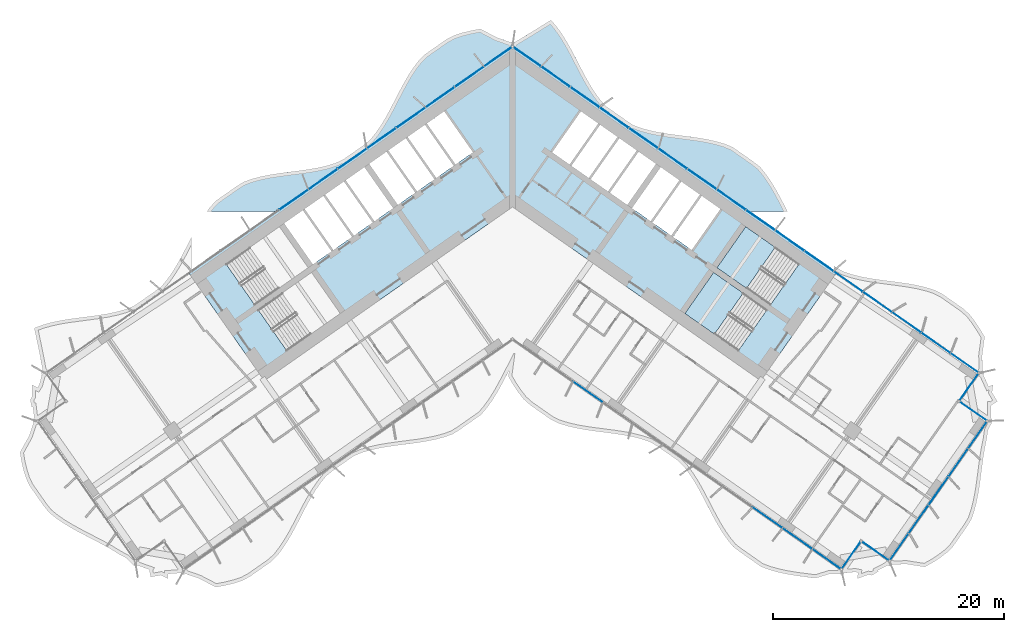
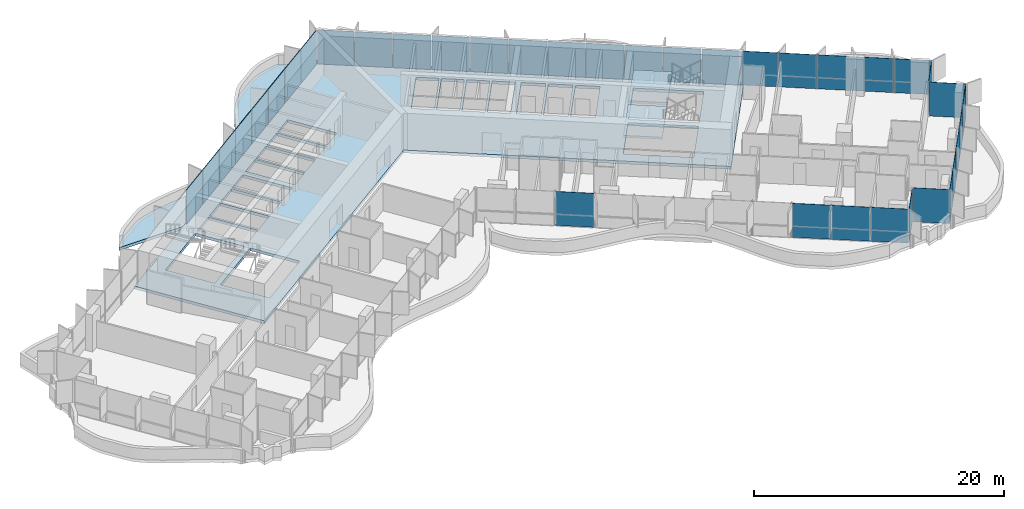
# One storey, part 11 of 23: 37 plates, 4 slabs, 4 elements without a shape of their own.
"""IFC4 building model written with IfcOpenShell, lengths in metres."""

from ifc_helpers import new_model, si_unit, direction, frame, origin, origin_2d, place, context, subcontext, project, spatial, polyline, rectangle, outline, extrude, material, layer, layer_set, type_object, element, aggregate, save


model = new_model("IFC4")

# Units and contexts
model_context = context("Model", 3, precision=1e-05, world=origin(), true_north=direction((0.0, 1.0)))
body_context = subcontext(model_context, "Body", "Model", "MODEL_VIEW")
ifc_project = project(units=[si_unit("LENGTHUNIT", "METRE"), si_unit("AREAUNIT", "SQUARE_METRE"), si_unit("VOLUMEUNIT", "CUBIC_METRE"), si_unit("PLANEANGLEUNIT", "RADIAN"), si_unit("MASSUNIT", "GRAM", prefix="KILO")], contexts=[model_context])

# Site, building, storey
site_placement = place(None, origin())
site = spatial("IfcSite", under=ifc_project, at=site_placement, CompositionType="ELEMENT")
building_placement = place(site_placement, origin())
building = spatial("IfcBuilding", under=site, at=building_placement, Name="Tel Ilan Convention Tower", CompositionType="ELEMENT")
storey_placement = place(building_placement, frame((0.0, 0.0, 115.699951171875)))
storey = spatial("IfcBuildingStorey", under=building, at=storey_placement, Name="L25", CompositionType="ELEMENT", Elevation=115.699951171875)

# Curtain wall, plates
ifc_material_1 = material(Name="Aluminium, bronze anodised", Category="aluminium")
curtain_wall_type_1 = type_object("IfcCurtainWallType", Name="CW1 UNITISED CURTAIN WALL, HOTEL TINTED GLASS", PredefinedType="NOTDEFINED", material=ifc_material_1)
curtain_wall_1_placement = place(storey_placement, origin())
curtain_wall_1 = element("IfcCurtainWall", 1, at=curtain_wall_1_placement, inside=storey, type_object=curtain_wall_type_1, Name="Curtain wall CW1-20.02", PredefinedType="NOTDEFINED")
ifc_material_2 = material(Name="Glass, bronze tinted, two-ply unitised", Category="glass")
ifc_layer_1 = layer(ifc_material_2, 0.028076171875)
ifc_layer_set_1 = layer_set([ifc_layer_1], Name="CW HOTEL GLASS PANEL 28")
plate_type_1 = type_object("IfcPlateType", Name="CW HOTEL GLASS PANEL 28", PredefinedType="CURTAIN_PANEL", material=ifc_layer_set_1)
plate_1_placement = place(storey_placement, frame((6.544921875, -17.27880859375, 0.0), z_axis=(0.0, 0.0, 1.0), x_axis=(0.819152044289, -0.573576436351, 0.0)))
plate_1 = element("IfcPlate", 2, at=plate_1_placement, type_object=plate_type_1, Name="Glass panel", PredefinedType="CURTAIN_PANEL", context=body_context, shape_type="SweptSolid", body=[
    extrude(rectangle(XDim=3.10791015625, YDim=0.028076171875, at=origin_2d()), origin(), (0.0, 0.0, 1.0), 3.320068359375),
])
plate_2_placement = place(storey_placement, frame((22.115478515625, -28.181396484375, 0.0), z_axis=(0.0, 0.0, 1.0), x_axis=(0.819152044289, -0.573576436351, 0.0)))
plate_2 = element("IfcPlate", 3, at=plate_2_placement, type_object=plate_type_1, Name="Glass panel", PredefinedType="CURTAIN_PANEL", context=body_context, shape_type="SweptSolid", body=[
    extrude(rectangle(XDim=3.10791015625, YDim=0.028076171875, at=origin_2d()), origin(), (0.0, 0.0, 1.0), 3.320068359375),
])
plate_3_placement = place(storey_placement, frame((24.71044921875, -29.99853515625, 0.0), z_axis=(0.0, 0.0, 1.0), x_axis=(0.819152044289, -0.573576436351, 0.0)))
plate_3 = element("IfcPlate", 4, at=plate_3_placement, type_object=plate_type_1, Name="Glass panel", PredefinedType="CURTAIN_PANEL", context=body_context, shape_type="SweptSolid", body=[
    extrude(rectangle(XDim=3.10791015625, YDim=0.028076171875, at=origin_2d()), origin(), (0.0, 0.0, 1.0), 3.320068359375),
])
plate_4_placement = place(storey_placement, frame((27.26708984375, -31.78857421875, 0.0), z_axis=(0.0, 0.0, 1.0), x_axis=(0.819152044289, -0.573576436351, 0.0)))
plate_4 = element("IfcPlate", 5, at=plate_4_placement, type_object=plate_type_1, Name="Glass panel", PredefinedType="CURTAIN_PANEL", context=body_context, shape_type="SweptSolid", body=[
    extrude(rectangle(XDim=3.013916015625, YDim=0.028076171875, at=origin_2d()), origin(), (0.0, 0.0, 1.0), 3.320068359375),
])
plate_5_placement = place(storey_placement, frame((29.359375, -31.469482421875, 0.0), z_axis=(0.0, 0.0, 1.0), x_axis=(0.573576436351, 0.819152044289, 0.0)))
plate_5 = element("IfcPlate", 6, at=plate_5_placement, type_object=plate_type_1, Name="Glass panel", PredefinedType="CURTAIN_PANEL", context=body_context, shape_type="SweptSolid", body=[
    extrude(rectangle(XDim=2.875, YDim=0.028076171875, at=origin_2d()), origin(), (0.0, 0.0, 1.0), 3.320068359375),
])
plate_6_placement = place(storey_placement, frame((31.502197265625, -31.091796875, 0.0), z_axis=(0.0, 0.0, 1.0), x_axis=(0.819152044289, -0.573576436351, 0.0)))
plate_6 = element("IfcPlate", 7, at=plate_6_placement, type_object=plate_type_1, Name="Glass panel", PredefinedType="CURTAIN_PANEL", context=body_context, shape_type="SweptSolid", body=[
    extrude(rectangle(XDim=2.875, YDim=0.028076171875, at=origin_2d()), origin(), (0.0, 0.0, 1.0), 3.320068359375),
])
plate_7_placement = place(storey_placement, frame((33.529296875, -30.74462890625, 0.0), z_axis=(0.0, 0.0, 1.0), x_axis=(0.573576436351, 0.819152044289, 0.0)))
plate_7 = element("IfcPlate", 8, at=plate_7_placement, type_object=plate_type_1, Name="Glass panel", PredefinedType="CURTAIN_PANEL", context=body_context, shape_type="SweptSolid", body=[
    extrude(rectangle(XDim=2.845947265625, YDim=0.028076171875, at=origin_2d()), origin(), (0.0, 0.0, 1.0), 3.320068359375),
])
plate_8_placement = place(storey_placement, frame((35.22314453125, -28.32568359375, 0.0), z_axis=(0.0, 0.0, 1.0), x_axis=(0.573576436351, 0.819152044289, 0.0)))
plate_8 = element("IfcPlate", 9, at=plate_8_placement, type_object=plate_type_1, Name="Glass panel", PredefinedType="CURTAIN_PANEL", context=body_context, shape_type="SweptSolid", body=[
    extrude(rectangle(XDim=2.93994140625, YDim=0.028076171875, at=origin_2d()), origin(), (0.0, 0.0, 1.0), 3.320068359375),
])
plate_9_placement = place(storey_placement, frame((36.94384765625, -25.868408203125, 0.0), z_axis=(0.0, 0.0, 1.0), x_axis=(0.573576436351, 0.819152044289, 0.0)))
plate_9 = element("IfcPlate", 10, at=plate_9_placement, type_object=plate_type_1, Name="Glass panel", PredefinedType="CURTAIN_PANEL", context=body_context, shape_type="SweptSolid", body=[
    extrude(rectangle(XDim=2.93994140625, YDim=0.028076171875, at=origin_2d()), origin(), (0.0, 0.0, 1.0), 3.320068359375),
])
plate_10_placement = place(storey_placement, frame((38.66455078125, -23.410888671875, 0.0), z_axis=(0.0, 0.0, 1.0), x_axis=(0.573576436351, 0.819152044289, 0.0)))
plate_10 = element("IfcPlate", 11, at=plate_10_placement, type_object=plate_type_1, Name="Glass panel", PredefinedType="CURTAIN_PANEL", context=body_context, shape_type="SweptSolid", body=[
    extrude(rectangle(XDim=2.93994140625, YDim=0.028076171875, at=origin_2d()), origin(), (0.0, 0.0, 1.0), 3.320068359375),
])
plate_11_placement = place(storey_placement, frame((40.358154296875, -20.991943359375, 0.0), z_axis=(0.0, 0.0, 1.0), x_axis=(0.573576436351, 0.819152044289, 0.0)))
plate_11 = element("IfcPlate", 12, at=plate_11_placement, type_object=plate_type_1, Name="Glass panel", PredefinedType="CURTAIN_PANEL", context=body_context, shape_type="SweptSolid", body=[
    extrude(rectangle(XDim=2.845947265625, YDim=0.028076171875, at=origin_2d()), origin(), (0.0, 0.0, 1.0), 3.320068359375),
])
plate_12_placement = place(storey_placement, frame((39.990966796875, -18.96826171875, 0.0), z_axis=(0.0, 0.0, 1.0), x_axis=(-0.819152044289, 0.573576436351, 0.0)))
plate_12 = element("IfcPlate", 13, at=plate_12_placement, type_object=plate_type_1, Name="Glass panel", PredefinedType="CURTAIN_PANEL", context=body_context, shape_type="SweptSolid", body=[
    extrude(rectangle(XDim=2.875, YDim=0.028076171875, at=origin_2d()), origin(), (0.0, 0.0, 1.0), 3.320068359375),
])
plate_13_placement = place(storey_placement, frame((39.61328125, -16.82568359375, 0.0), z_axis=(0.0, 0.0, 1.0), x_axis=(0.573576436351, 0.819152044289, 0.0)))
plate_13 = element("IfcPlate", 14, at=plate_13_placement, type_object=plate_type_1, Name="Glass panel", PredefinedType="CURTAIN_PANEL", context=body_context, shape_type="SweptSolid", body=[
    extrude(rectangle(XDim=2.875, YDim=0.028076171875, at=origin_2d()), origin(), (0.0, 0.0, 1.0), 3.320068359375),
])
plate_14_placement = place(storey_placement, frame((39.2265625, -14.7705078125, 0.0), z_axis=(0.0, 0.0, 1.0), x_axis=(-0.819152044289, 0.573576436351, 0.0)))
plate_14 = element("IfcPlate", 15, at=plate_14_placement, type_object=plate_type_1, Name="Glass panel", PredefinedType="CURTAIN_PANEL", context=body_context, shape_type="SweptSolid", body=[
    extrude(rectangle(XDim=2.943115234375, YDim=0.028076171875, at=origin_2d()), origin(), (0.0, 0.0, 1.0), 3.320068359375),
])
plate_15_placement = place(storey_placement, frame((36.72802734375, -13.021240234375, 0.0), z_axis=(0.0, 0.0, 1.0), x_axis=(-0.819152044289, 0.573576436351, 0.0)))
plate_15 = element("IfcPlate", 16, at=plate_15_placement, type_object=plate_type_1, Name="Glass panel", PredefinedType="CURTAIN_PANEL", context=body_context, shape_type="SweptSolid", body=[
    extrude(rectangle(XDim=3.037109375, YDim=0.028076171875, at=origin_2d()), origin(), (0.0, 0.0, 1.0), 3.320068359375),
])
plate_16_placement = place(storey_placement, frame((34.191162109375, -11.244873046875, 0.0), z_axis=(0.0, 0.0, 1.0), x_axis=(-0.819152044289, 0.573576436351, 0.0)))
plate_16 = element("IfcPlate", 17, at=plate_16_placement, type_object=plate_type_1, Name="Glass panel", PredefinedType="CURTAIN_PANEL", context=body_context, shape_type="SweptSolid", body=[
    extrude(rectangle(XDim=3.037109375, YDim=0.028076171875, at=origin_2d()), origin(), (0.0, 0.0, 1.0), 3.320068359375),
])
plate_17_placement = place(storey_placement, frame((31.654296875, -9.468505859375, 0.0), z_axis=(0.0, 0.0, 1.0), x_axis=(-0.819152044289, 0.573576436351, 0.0)))
plate_17 = element("IfcPlate", 18, at=plate_17_placement, type_object=plate_type_1, Name="Glass panel", PredefinedType="CURTAIN_PANEL", context=body_context, shape_type="SweptSolid", body=[
    extrude(rectangle(XDim=3.037109375, YDim=0.028076171875, at=origin_2d()), origin(), (0.0, 0.0, 1.0), 3.320068359375),
])
plate_18_placement = place(storey_placement, frame((29.1171875, -7.692138671875, 0.0), z_axis=(0.0, 0.0, 1.0), x_axis=(-0.819152044289, 0.573576436351, 0.0)))
plate_18 = element("IfcPlate", 19, at=plate_18_placement, type_object=plate_type_1, Name="Glass panel", PredefinedType="CURTAIN_PANEL", context=body_context, shape_type="SweptSolid", body=[
    extrude(rectangle(XDim=3.037109375, YDim=0.028076171875, at=origin_2d()), origin(), (0.0, 0.0, 1.0), 3.320068359375),
])
aggregate(curtain_wall_1, [plate_1, plate_2, plate_3, plate_4, plate_5, plate_6, plate_7, plate_8, plate_9, plate_10, plate_11, plate_12, plate_13, plate_14, plate_15, plate_16, plate_17, plate_18])

ifc_material_3 = material(Name="Aluminium, bronze anodised", Category="aluminium")
curtain_wall_type_2 = type_object("IfcCurtainWallType", Name="CW2 STICK CURTAIN WALL, SPANDREL PANELS", PredefinedType="NOTDEFINED", material=ifc_material_3)
curtain_wall_2_placement = place(storey_placement, origin())
curtain_wall_2 = element("IfcCurtainWall", 20, at=curtain_wall_2_placement, inside=storey, type_object=curtain_wall_type_2, Name="Curtain wall CW2-20.01", PredefinedType="NOTDEFINED")
ifc_material_4 = material(Name="Aluminium composite panel, bronze anodised", Category="aluminium")
ifc_layer_2 = layer(ifc_material_4, 0.06005859375)
ifc_layer_set_2 = layer_set([ifc_layer_2], Name="CW SPANDREL PANEL 60")
plate_type_2 = type_object("IfcPlateType", Name="CW SPANDREL PANEL 60", PredefinedType="CURTAIN_PANEL", material=ifc_layer_set_2)
plate_19_placement = place(storey_placement, frame((26.580322265625, -5.915771484375, 0.0), z_axis=(0.0, 0.0, 1.0), x_axis=(-0.819152044289, 0.573576436351, 0.0)))
plate_19 = element("IfcPlate", 21, at=plate_19_placement, type_object=plate_type_2, Name="Spandrel panel", PredefinedType="CURTAIN_PANEL", context=body_context, shape_type="SweptSolid", body=[
    extrude(rectangle(XDim=3.037109375, YDim=0.06005859375, at=origin_2d()), origin(), (0.0, 0.0, 1.0), 3.320068359375),
])
plate_20_placement = place(storey_placement, frame((24.04345703125, -4.139404296875, 0.0), z_axis=(0.0, 0.0, 1.0), x_axis=(-0.819152044289, 0.573576436351, 0.0)))
plate_20 = element("IfcPlate", 22, at=plate_20_placement, type_object=plate_type_2, Name="Spandrel panel", PredefinedType="CURTAIN_PANEL", context=body_context, shape_type="SweptSolid", body=[
    extrude(rectangle(XDim=3.037109375, YDim=0.06005859375, at=origin_2d()), origin(), (0.0, 0.0, 1.0), 3.320068359375),
])
plate_21_placement = place(storey_placement, frame((21.506591796875, -2.363037109375, 0.0), z_axis=(0.0, 0.0, 1.0), x_axis=(-0.819152044289, 0.573576436351, 0.0)))
plate_21 = element("IfcPlate", 23, at=plate_21_placement, type_object=plate_type_2, Name="Spandrel panel", PredefinedType="CURTAIN_PANEL", context=body_context, shape_type="SweptSolid", body=[
    extrude(rectangle(XDim=3.037109375, YDim=0.06005859375, at=origin_2d()), origin(), (0.0, 0.0, 1.0), 3.320068359375),
])
plate_22_placement = place(storey_placement, frame((18.969482421875, -0.586669921875, 0.0), z_axis=(0.0, 0.0, 1.0), x_axis=(-0.819152044289, 0.573576436351, 0.0)))
plate_22 = element("IfcPlate", 24, at=plate_22_placement, type_object=plate_type_2, Name="Spandrel panel", PredefinedType="CURTAIN_PANEL", context=body_context, shape_type="SweptSolid", body=[
    extrude(rectangle(XDim=3.037109375, YDim=0.06005859375, at=origin_2d()), origin(), (0.0, 0.0, 1.0), 3.320068359375),
])
plate_23_placement = place(storey_placement, frame((16.4326171875, 1.189697265625, 0.0), z_axis=(0.0, 0.0, 1.0), x_axis=(-0.819152044289, 0.573576436351, 0.0)))
plate_23 = element("IfcPlate", 25, at=plate_23_placement, type_object=plate_type_2, Name="Spandrel panel", PredefinedType="CURTAIN_PANEL", context=body_context, shape_type="SweptSolid", body=[
    extrude(rectangle(XDim=3.037109375, YDim=0.06005859375, at=origin_2d()), origin(), (0.0, 0.0, 1.0), 3.320068359375),
])
plate_24_placement = place(storey_placement, frame((13.895751953125, 2.966064453125, 0.0), z_axis=(0.0, 0.0, 1.0), x_axis=(-0.819152044289, 0.573576436351, 0.0)))
plate_24 = element("IfcPlate", 26, at=plate_24_placement, type_object=plate_type_2, Name="Spandrel panel", PredefinedType="CURTAIN_PANEL", context=body_context, shape_type="SweptSolid", body=[
    extrude(rectangle(XDim=3.037109375, YDim=0.06005859375, at=origin_2d()), origin(), (0.0, 0.0, 1.0), 3.320068359375),
])
plate_25_placement = place(storey_placement, frame((11.35888671875, 4.742431640625, 0.0), z_axis=(0.0, 0.0, 1.0), x_axis=(-0.819152044289, 0.573576436351, 0.0)))
plate_25 = element("IfcPlate", 27, at=plate_25_placement, type_object=plate_type_2, Name="Spandrel panel", PredefinedType="CURTAIN_PANEL", context=body_context, shape_type="SweptSolid", body=[
    extrude(rectangle(XDim=3.037109375, YDim=0.06005859375, at=origin_2d()), origin(), (0.0, 0.0, 1.0), 3.320068359375),
])
plate_26_placement = place(storey_placement, frame((8.82177734375, 6.518798828125, 0.0), z_axis=(0.0, 0.0, 1.0), x_axis=(-0.819152044289, 0.573576436351, 0.0)))
plate_26 = element("IfcPlate", 28, at=plate_26_placement, type_object=plate_type_2, Name="Spandrel panel", PredefinedType="CURTAIN_PANEL", context=body_context, shape_type="SweptSolid", body=[
    extrude(rectangle(XDim=3.037109375, YDim=0.06005859375, at=origin_2d()), origin(), (0.0, 0.0, 1.0), 3.320068359375),
])
plate_27_placement = place(storey_placement, frame((6.284912109375, 8.295166015625, 0.0), z_axis=(0.0, 0.0, 1.0), x_axis=(-0.819152044289, 0.573576436351, 0.0)))
plate_27 = element("IfcPlate", 29, at=plate_27_placement, type_object=plate_type_2, Name="Spandrel panel", PredefinedType="CURTAIN_PANEL", context=body_context, shape_type="SweptSolid", body=[
    extrude(rectangle(XDim=3.037109375, YDim=0.06005859375, at=origin_2d()), origin(), (0.0, 0.0, 1.0), 3.320068359375),
])
plate_28_placement = place(storey_placement, frame((3.748046875, 10.07177734375, 0.0), z_axis=(0.0, 0.0, 1.0), x_axis=(-0.819152044289, 0.573576436351, 0.0)))
plate_28 = element("IfcPlate", 30, at=plate_28_placement, type_object=plate_type_2, Name="Spandrel panel", PredefinedType="CURTAIN_PANEL", context=body_context, shape_type="SweptSolid", body=[
    extrude(rectangle(XDim=3.037109375, YDim=0.06005859375, at=origin_2d()), origin(), (0.0, 0.0, 1.0), 3.320068359375),
])
plate_29_placement = place(storey_placement, frame((1.256103515625, 11.81640625, 0.0), z_axis=(0.0, 0.0, 1.0), x_axis=(-0.819152044289, 0.573576436351, 0.0)))
plate_29 = element("IfcPlate", 31, at=plate_29_placement, type_object=plate_type_2, Name="Spandrel panel", PredefinedType="CURTAIN_PANEL", context=body_context, shape_type="SweptSolid", body=[
    extrude(rectangle(XDim=2.927001953125, YDim=0.06005859375, at=origin_2d()), origin(), (0.0, 0.0, 1.0), 3.320068359375),
])
plate_30_placement = place(storey_placement, frame((-1.256103515625, 11.81640625, 0.0), z_axis=(0.0, 0.0, 1.0), x_axis=(-0.819152044289, -0.573576436351, 0.0)))
plate_30 = element("IfcPlate", 32, at=plate_30_placement, type_object=plate_type_2, Name="Spandrel panel", PredefinedType="CURTAIN_PANEL", context=body_context, shape_type="SweptSolid", body=[
    extrude(rectangle(XDim=2.927001953125, YDim=0.06005859375, at=origin_2d()), origin(), (0.0, 0.0, 1.0), 3.320068359375),
])
plate_31_placement = place(storey_placement, frame((-3.748046875, 10.07177734375, 0.0), z_axis=(0.0, 0.0, 1.0), x_axis=(-0.819152044289, -0.573576436351, 0.0)))
plate_31 = element("IfcPlate", 33, at=plate_31_placement, type_object=plate_type_2, Name="Spandrel panel", PredefinedType="CURTAIN_PANEL", context=body_context, shape_type="SweptSolid", body=[
    extrude(rectangle(XDim=3.037109375, YDim=0.06005859375, at=origin_2d()), origin(), (0.0, 0.0, 1.0), 3.320068359375),
])
plate_32_placement = place(storey_placement, frame((-6.284912109375, 8.295166015625, 0.0), z_axis=(0.0, 0.0, 1.0), x_axis=(-0.819152044289, -0.573576436351, 0.0)))
plate_32 = element("IfcPlate", 34, at=plate_32_placement, type_object=plate_type_2, Name="Spandrel panel", PredefinedType="CURTAIN_PANEL", context=body_context, shape_type="SweptSolid", body=[
    extrude(rectangle(XDim=3.037109375, YDim=0.06005859375, at=origin_2d()), origin(), (0.0, 0.0, 1.0), 3.320068359375),
])
plate_33_placement = place(storey_placement, frame((-8.82177734375, 6.518798828125, 0.0), z_axis=(0.0, 0.0, 1.0), x_axis=(-0.819152044289, -0.573576436351, 0.0)))
plate_33 = element("IfcPlate", 35, at=plate_33_placement, type_object=plate_type_2, Name="Spandrel panel", PredefinedType="CURTAIN_PANEL", context=body_context, shape_type="SweptSolid", body=[
    extrude(rectangle(XDim=3.037109375, YDim=0.06005859375, at=origin_2d()), origin(), (0.0, 0.0, 1.0), 3.320068359375),
])
plate_34_placement = place(storey_placement, frame((-11.35888671875, 4.742431640625, 0.0), z_axis=(0.0, 0.0, 1.0), x_axis=(-0.819152044289, -0.573576436351, 0.0)))
plate_34 = element("IfcPlate", 36, at=plate_34_placement, type_object=plate_type_2, Name="Spandrel panel", PredefinedType="CURTAIN_PANEL", context=body_context, shape_type="SweptSolid", body=[
    extrude(rectangle(XDim=3.037109375, YDim=0.06005859375, at=origin_2d()), origin(), (0.0, 0.0, 1.0), 3.320068359375),
])
plate_35_placement = place(storey_placement, frame((-13.895751953125, 2.966064453125, 0.0), z_axis=(0.0, 0.0, 1.0), x_axis=(-0.819152044289, -0.573576436351, 0.0)))
plate_35 = element("IfcPlate", 37, at=plate_35_placement, type_object=plate_type_2, Name="Spandrel panel", PredefinedType="CURTAIN_PANEL", context=body_context, shape_type="SweptSolid", body=[
    extrude(rectangle(XDim=3.037109375, YDim=0.06005859375, at=origin_2d()), origin(), (0.0, 0.0, 1.0), 3.320068359375),
])
plate_36_placement = place(storey_placement, frame((-16.4326171875, 1.189697265625, 0.0), z_axis=(0.0, 0.0, 1.0), x_axis=(-0.819152044289, -0.573576436351, 0.0)))
plate_36 = element("IfcPlate", 38, at=plate_36_placement, type_object=plate_type_2, Name="Spandrel panel", PredefinedType="CURTAIN_PANEL", context=body_context, shape_type="SweptSolid", body=[
    extrude(rectangle(XDim=3.037109375, YDim=0.06005859375, at=origin_2d()), origin(), (0.0, 0.0, 1.0), 3.320068359375),
])
plate_37_placement = place(storey_placement, frame((-18.969482421875, -0.586669921875, 0.0), z_axis=(0.0, 0.0, 1.0), x_axis=(-0.819152044289, -0.573576436351, 0.0)))
plate_37 = element("IfcPlate", 39, at=plate_37_placement, type_object=plate_type_2, Name="Spandrel panel", PredefinedType="CURTAIN_PANEL", context=body_context, shape_type="SweptSolid", body=[
    extrude(rectangle(XDim=3.037109375, YDim=0.06005859375, at=origin_2d()), origin(), (0.0, 0.0, 1.0), 3.320068359375),
])
aggregate(curtain_wall_2, [plate_19, plate_20, plate_21, plate_22, plate_23, plate_24, plate_25, plate_26, plate_27, plate_28, plate_29, plate_30, plate_31, plate_32, plate_33, plate_34, plate_35, plate_36, plate_37])

# Stair, slab
ifc_material_5 = material(Name="Concrete C40/50", Category="concrete")
stair_type = type_object("IfcStairType", Name="Pressurised Exit Stair 20 risers 180 mm", PredefinedType="HALF_TURN_STAIR", material=ifc_material_5)
stair_1_placement = place(storey_placement, origin())
stair_1 = element("IfcStair", 40, at=stair_1_placement, inside=storey, type_object=stair_type, Name="L25 Pressurised Stair S3", PredefinedType="HALF_TURN_STAIR")
ifc_material_6 = material(Name="Concrete C40/50", Category="concrete")
ifc_layer_3 = layer(ifc_material_6, 0.199951171875)
ifc_layer_set_3 = layer_set([ifc_layer_3], Name="Concrete Stair Landing 200 mm C40/50")
slab_type_1 = type_object("IfcSlabType", Name="Concrete Stair Landing 200 mm", PredefinedType="LANDING", material=ifc_layer_set_3)
slab_1_placement = place(storey_placement, frame((0.0, 0.0, 1.60009765625)))
slab_1 = element("IfcSlab", 41, at=slab_1_placement, type_object=slab_type_1, Name="S3 landing 1", PredefinedType="LANDING", context=body_context, shape_type="SweptSolid", body=[
    extrude(outline(polyline([(22.791015625, -4.727294921875), (20.226318359375, -2.931640625), (17.7314453125, -6.494873046875), (20.2958984375, -8.29052734375), (22.791015625, -4.727294921875)])), origin(), (0.0, 0.0, 1.0), 0.199951171875),
])
aggregate(stair_1, [slab_1])

stair_2_placement = place(storey_placement, origin())
stair_2 = element("IfcStair", 42, at=stair_2_placement, inside=storey, type_object=stair_type, Name="L25 Pressurised Stair S4", PredefinedType="HALF_TURN_STAIR")
slab_2_placement = place(storey_placement, frame((0.0, 0.0, 1.60009765625)))
slab_2 = element("IfcSlab", 43, at=slab_2_placement, type_object=slab_type_1, Name="S4 landing 1", PredefinedType="LANDING", context=body_context, shape_type="SweptSolid", body=[
    extrude(outline(polyline([(20.00927734375, -8.7001953125), (17.444580078125, -6.904541015625), (14.949462890625, -10.4677734375), (17.51416015625, -12.263427734375), (20.00927734375, -8.7001953125)])), origin(), (0.0, 0.0, 1.0), 0.199951171875),
])
aggregate(stair_2, [slab_2])

# Slabs
ifc_material_7 = material(Name="Concrete C40/50", Category="concrete")
ifc_layer_4 = layer(ifc_material_7, 0.280029296875)
ifc_layer_set_4 = layer_set([ifc_layer_4], Name="Core Floor Slab 280 mm C40/50")
slab_type_2 = type_object("IfcSlabType", Name="Core Floor Slab 280 mm C40/50", PredefinedType="FLOOR", material=ifc_layer_set_4)
slab_3_placement = place(storey_placement, frame((0.0, 0.0, -0.280029296875)))
element("IfcSlab", 44, at=slab_3_placement, inside=storey, type_object=slab_type_2, Name="L25 core floor 1", PredefinedType="FLOOR", context=body_context, shape_type="SweptSolid", body=[
    extrude(outline(polyline([(-28.1396484375, -6.885498046875), (0.0, 12.818115234375), (28.1396484375, -6.885498046875), (21.54345703125, -16.3056640625), (0.0, -1.220703125), (-21.54345703125, -16.3056640625), (-28.1396484375, -6.885498046875)]), holes=[polyline([(-14.949462890625, -10.4677734375), (-17.444580078125, -6.904541015625), (-22.072021484375, -10.144775390625), (-19.5771484375, -13.7080078125), (-14.949462890625, -10.4677734375)]), polyline([(-17.7314453125, -6.494873046875), (-20.226318359375, -2.931640625), (-24.85400390625, -6.171875), (-22.35888671875, -9.735107421875), (-17.7314453125, -6.494873046875)]), polyline([(-18.198974609375, -1.511962890625), (-19.81689453125, -2.644775390625), (-17.32177734375, -6.2080078125), (-15.7041015625, -5.0751953125), (-18.198974609375, -1.511962890625)]), polyline([(-16.41748046875, -0.264404296875), (-18.03515625, -1.397216796875), (-15.5400390625, -4.960693359375), (-13.92236328125, -3.827880859375), (-16.41748046875, -0.264404296875)]), polyline([(-14.6357421875, 0.983154296875), (-16.25341796875, -0.149658203125), (-13.758544921875, -3.712890625), (-12.140625, -2.580078125), (-14.6357421875, 0.983154296875)]), polyline([(-12.85400390625, 2.230712890625), (-14.471923828125, 1.097900390625), (-11.976806640625, -2.465576171875), (-10.35888671875, -1.332763671875), (-12.85400390625, 2.230712890625)]), polyline([(-10.939208984375, 3.5712890625), (-12.444580078125, 2.517333984375), (-9.949462890625, -1.0458984375), (-8.444091796875, 0.008056640625), (-10.939208984375, 3.5712890625)]), polyline([(-6.775146484375, 1.1767578125), (-9.270263671875, 4.739990234375), (-10.775390625, 3.68603515625), (-8.280517578125, 0.122802734375), (-6.775146484375, 1.1767578125)]), polyline([(-5.106201171875, 2.345458984375), (-7.601318359375, 5.90869140625), (-9.1064453125, 4.854736328125), (-6.611328125, 1.29150390625), (-5.106201171875, 2.345458984375)]), polyline([(-5.93212890625, 7.077392578125), (-7.4375, 6.0234375), (-4.9423828125, 2.460205078125), (-3.437255859375, 3.513916015625), (-5.93212890625, 7.077392578125)]), polyline([(17.444580078125, -6.904541015625), (14.949462890625, -10.4677734375), (19.5771484375, -13.7080078125), (22.072021484375, -10.144775390625), (17.444580078125, -6.904541015625)]), polyline([(20.226318359375, -2.931640625), (17.7314453125, -6.494873046875), (22.35888671875, -9.735107421875), (24.85400390625, -6.171875), (20.226318359375, -2.931640625)]), polyline([(13.92236328125, -3.827880859375), (15.5400390625, -4.960693359375), (18.03515625, -1.397216796875), (16.41748046875, -0.264404296875), (13.92236328125, -3.827880859375)]), polyline([(12.140625, -2.580078125), (13.758544921875, -3.712890625), (16.25341796875, -0.149658203125), (14.6357421875, 0.983154296875), (12.140625, -2.580078125)]), polyline([(11.976806640625, -2.465576171875), (14.471923828125, 1.097900390625), (12.85400390625, 2.230712890625), (10.35888671875, -1.332763671875), (11.976806640625, -2.465576171875)]), polyline([(9.949462890625, -1.0458984375), (12.444580078125, 2.517333984375), (10.939208984375, 3.5712890625), (8.444091796875, 0.008056640625), (9.949462890625, -1.0458984375)]), polyline([(8.280517578125, 0.122802734375), (10.775390625, 3.68603515625), (9.270263671875, 4.739990234375), (6.775146484375, 1.1767578125), (8.280517578125, 0.122802734375)]), polyline([(5.106201171875, 2.345458984375), (6.611328125, 1.29150390625), (9.1064453125, 4.854736328125), (7.601318359375, 5.90869140625), (5.106201171875, 2.345458984375)]), polyline([(3.437255859375, 3.513916015625), (4.9423828125, 2.460205078125), (7.4375, 6.0234375), (5.93212890625, 7.077392578125), (3.437255859375, 3.513916015625)])]), origin(), (0.0, 0.0, 1.0), 0.280029296875),
])
ifc_material_8 = material(Name="Concrete C40/50", Category="concrete")
ifc_layer_5 = layer(ifc_material_8, 0.280029296875)
ifc_layer_set_5 = layer_set([ifc_layer_5], Name="Edge Ledge Slab 280 mm C40/50")
slab_type_3 = type_object("IfcSlabType", Name="Edge Ledge Slab 280 mm C40/50", PredefinedType="FLOOR", material=ifc_layer_set_5)
slab_4_placement = place(storey_placement, frame((0.0, 0.0, -0.280029296875)))
element("IfcSlab", 45, at=slab_4_placement, inside=storey, type_object=slab_type_3, Name="L25 edge ledge 2", PredefinedType="FLOOR", context=body_context, shape_type="SweptSolid", body=[
    extrude(outline(polyline([(-23.301513671875, 0.96630859375), (-22.57568359375, 1.218994140625), (-21.812744140625, 1.4189453125), (-21.02001953125, 1.576171875), (-20.205810546875, 1.70263671875), (-19.37890625, 1.811279296875), (-18.5498046875, 1.91650390625), (-17.727783203125, 2.0322265625), (-16.923095703125, 2.172119140625), (-16.14404296875, 2.34912109375), (-15.398681640625, 2.573974609375), (-14.7119140625, 2.8828125), (-12.89453125, 4.155517578125), (-12.326416015625, 4.6337890625), (-11.845703125, 5.236572265625), (-11.401123046875, 5.89111328125), (-10.985595703125, 6.5869140625), (-10.59033203125, 7.311767578125), (-10.206298828125, 8.052734375), (-9.823486328125, 8.79541015625), (-9.431884765625, 9.52587890625), (-9.022216796875, 10.230224609375), (-8.585693359375, 10.896240234375), (-8.11474609375, 11.512939453125), (-7.57470703125, 12.031005859375), (-5.757080078125, 13.3037109375), (-5.10009765625, 13.654541015625), (-4.364013671875, 13.89306640625), (-3.593017578125, 14.0810546875), (-2.793212890625, 14.228271484375), (-1.3642578125, 13.47705078125), (-0.172119140625, 13.06396484375), (-0.168701171875, 13.05908203125), (-0.11474609375, 13.09521484375), (0.0, 13.1181640625), (0.11474609375, 13.09521484375), (0.168701171875, 13.05908203125), (0.172119140625, 13.06396484375), (1.732666015625, 14.003173828125), (3.331787109375, 14.997802734375), (3.8291015625, 14.418212890625), (4.28662109375, 13.7822265625), (4.71240234375, 13.100830078125), (5.1142578125, 12.385498046875), (5.50146484375, 11.64892578125), (5.883544921875, 10.9052734375), (6.2705078125, 10.168701171875), (6.672119140625, 9.452880859375), (7.09765625, 8.770751953125), (7.5546875, 8.134033203125), (8.050048828125, 7.55224609375), (8.65380859375, 7.125), (9.865478515625, 6.276611328125), (10.483642578125, 5.8701171875), (11.20458984375, 5.610107421875), (11.963134765625, 5.404052734375), (12.75244140625, 5.241943359375), (13.564697265625, 5.1123046875), (14.390380859375, 5.002197265625), (15.2197265625, 4.8974609375), (16.043212890625, 4.78369140625), (16.8505859375, 4.647705078125), (17.63330078125, 4.47607421875), (18.38330078125, 4.2578125), (19.08544921875, 3.97119140625), (20.903076171875, 2.698486328125), (21.484130859375, 2.239013671875), (21.9697265625, 1.643310546875), (22.418701171875, 0.99462890625), (22.83740234375, 0.3037109375), (23.23486328125, -0.41845703125), (23.619873046875, -1.158203125), (23.86328125, -1.631591796875), (20.63623046875, -1.631591796875), (0.0, 12.818115234375), (-20.63623046875, -1.631591796875), (-26.53369140625, -1.631591796875), (-26.25927734375, -1.2568359375), (-25.749755859375, -0.695068359375), (-23.93212890625, 0.577392578125), (-23.301513671875, 0.96630859375)])), origin(), (0.0, 0.0, 1.0), 0.280029296875),
])

save(model, "model.ifc")
